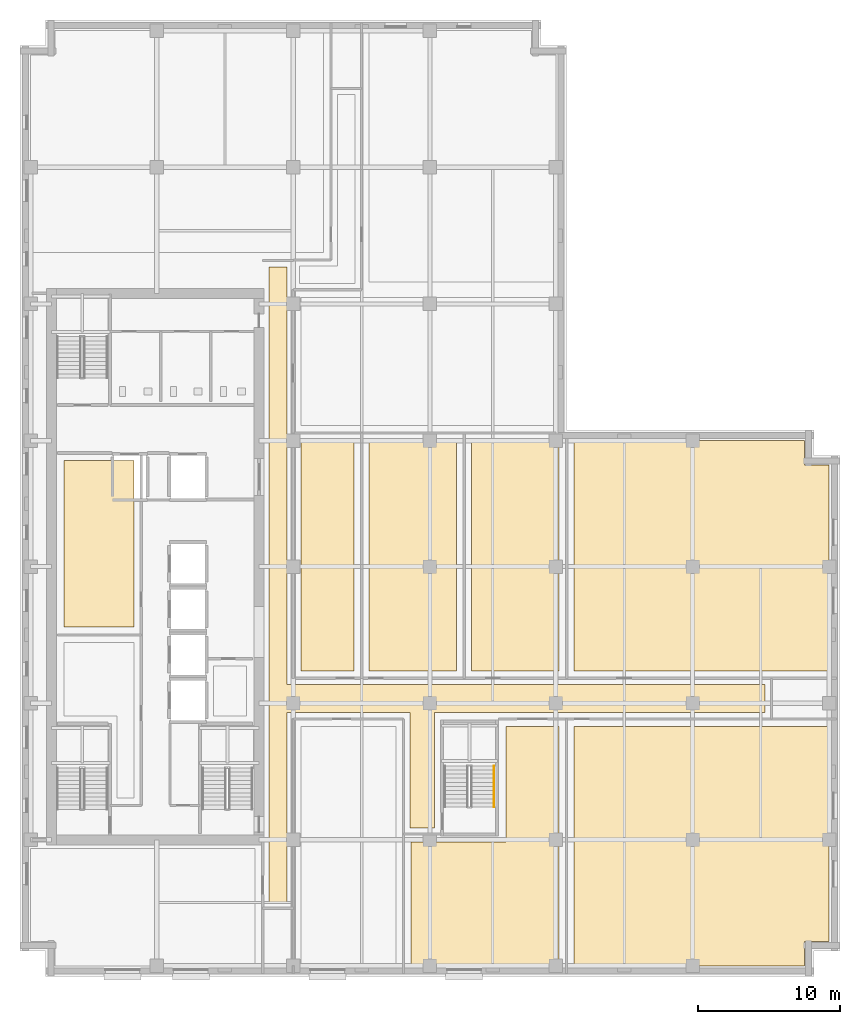
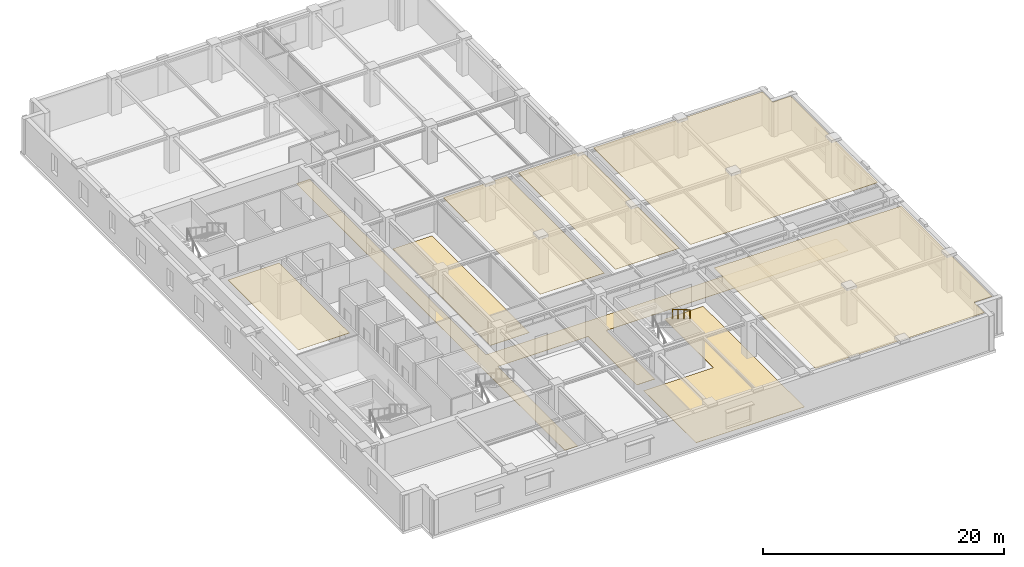
# One storey, part 10 of 13: 8 coverings, 1 railing.
"""IFC4 building model written with IfcOpenShell, lengths in metres."""

from ifc_helpers import new_model, si_unit, direction, frame, origin, origin_2d, place, context, subcontext, project, spatial, polyline, circle, outline, extrude, material, layer, layer_set, type_object, element, save


model = new_model("IFC4")

# Units and contexts
model_context = context("Model", 3, precision=1e-05, world=origin(), true_north=direction((0.0, 1.0)))
body_context = subcontext(model_context, "Body", "Model", "MODEL_VIEW")
ifc_project = project(units=[si_unit("LENGTHUNIT", "METRE"), si_unit("AREAUNIT", "SQUARE_METRE"), si_unit("VOLUMEUNIT", "CUBIC_METRE"), si_unit("PLANEANGLEUNIT", "RADIAN"), si_unit("MASSUNIT", "GRAM", prefix="KILO")], contexts=[model_context])

# Site, building, storey
site_placement = place(None, origin())
site = spatial("IfcSite", under=ifc_project, at=site_placement, CompositionType="ELEMENT")
building_placement = place(site_placement, origin())
building = spatial("IfcBuilding", under=site, at=building_placement, Name="Norrvale University Quadrangle", CompositionType="ELEMENT")
storey_placement = place(building_placement, frame((0.0, 0.0, 175.0)))
storey = spatial("IfcBuildingStorey", under=building, at=storey_placement, Name="L44", CompositionType="ELEMENT", Elevation=175.0)

# Coverings
ifc_material_1 = material(Name="Perforated Acoustic Mineral Ceiling")
ifc_layer_1 = layer(ifc_material_1, 0.02490234375, Name="Perforated Acoustic Mineral Ceiling")
ifc_layer_set_1 = layer_set([ifc_layer_1], Name="Perforated Acoustic Mineral Ceiling")
covering_type_1 = type_object("IfcCoveringType", Name="Covering Acoustic Ceiling 25", PredefinedType="CEILING", material=ifc_layer_set_1)
covering_1_placement = place(storey_placement, frame((0.0, 0.0, 3.514892578125)))
element("IfcCovering", 1, at=covering_1_placement, inside=storey, type_object=covering_type_1, Name="Acoustic Ceiling RM-L44-REC2", PredefinedType="CEILING", context=body_context, shape_type="SweptSolid", body=[
    extrude(outline(polyline([(3.10009765625, 24.550048828125), (3.10009765625, 36.25), (8.0, 36.25), (8.0, 24.550048828125), (3.10009765625, 24.550048828125)])), origin(), (0.0, 0.0, 1.0), 0.025146484375),
])
covering_2_placement = place(storey_placement, frame((0.0, 0.0, 3.514892578125)))
element("IfcCovering", 2, at=covering_2_placement, inside=storey, type_object=covering_type_1, Name="Acoustic Ceiling RM-L44-SE3", PredefinedType="CEILING", context=body_context, shape_type="SweptSolid", body=[
    extrude(outline(polyline([(38.929931640625, 0.75), (38.929931640625, 17.570068359375), (56.85009765625, 17.570068359375), (56.85009765625, 2.469970703125), (55.1298828125, 2.469970703125), (55.1298828125, 0.75), (38.929931640625, 0.75)])), origin(), (0.0, 0.0, 1.0), 0.025146484375),
])
covering_3_placement = place(storey_placement, frame((0.0, 0.0, 3.514892578125)))
element("IfcCovering", 3, at=covering_3_placement, inside=storey, type_object=covering_type_1, Name="Acoustic Ceiling RM-L44-ME02", PredefinedType="CEILING", context=body_context, shape_type="SweptSolid", body=[
    extrude(outline(polyline([(24.530029296875, 37.64990234375), (30.669921875, 37.64990234375), (30.669921875, 21.47998046875), (24.530029296875, 21.47998046875), (24.530029296875, 37.64990234375)])), origin(), (0.0, 0.0, 1.0), 0.025146484375),
])
covering_4_placement = place(storey_placement, frame((0.0, 0.0, 3.514892578125)))
element("IfcCovering", 4, at=covering_4_placement, inside=storey, type_object=covering_type_1, Name="Acoustic Ceiling RM-L44-ME03", PredefinedType="CEILING", context=body_context, shape_type="SweptSolid", body=[
    extrude(outline(polyline([(31.72998046875, 37.64990234375), (37.8701171875, 37.64990234375), (37.8701171875, 21.47998046875), (31.72998046875, 21.47998046875), (31.72998046875, 37.64990234375)])), origin(), (0.0, 0.0, 1.0), 0.025146484375),
])
covering_5_placement = place(storey_placement, frame((0.0, 0.0, 3.514892578125)))
element("IfcCovering", 5, at=covering_5_placement, inside=storey, type_object=covering_type_1, Name="Acoustic Ceiling RM-L44-ME04", PredefinedType="CEILING", context=body_context, shape_type="SweptSolid", body=[
    extrude(outline(polyline([(56.85009765625, 21.47998046875), (38.929931640625, 21.47998046875), (38.929931640625, 37.64990234375), (55.1298828125, 37.64990234375), (55.1298828125, 35.929931640625), (56.85009765625, 35.929931640625), (56.85009765625, 21.47998046875)])), origin(), (0.0, 0.0, 1.0), 0.025146484375),
])
ifc_material_2 = material(Name="Polished Terrazzo Flooring")
ifc_layer_2 = layer(ifc_material_2, 0.02490234375, Name="Polished Terrazzo Flooring")
ifc_layer_set_2 = layer_set([ifc_layer_2], Name="Polished Terrazzo Flooring")
covering_type_2 = type_object("IfcCoveringType", Name="Covering Terrazzo Floor 30", PredefinedType="FLOORING", material=ifc_layer_set_2)
covering_6_placement = place(storey_placement, origin())
element("IfcCovering", 6, at=covering_6_placement, inside=storey, type_object=covering_type_2, Name="Terrazzo Flooring RM-L44-CORR1", PredefinedType="FLOORING", context=body_context, shape_type="SweptSolid", body=[
    extrude(outline(polyline([(17.5, 5.25), (17.5, 49.85009765625), (18.75, 49.85009765625), (18.75, 20.5), (52.35009765625, 20.5), (52.35009765625, 18.550048828125), (29.1298828125, 18.550048828125), (29.1298828125, 10.449951171875), (27.39990234375, 10.449951171875), (27.39990234375, 18.550048828125), (18.75, 18.550048828125), (18.75, 5.25), (17.5, 5.25)])), origin(), (0.0, 0.0, 1.0), 0.02490234375),
])
covering_7_placement = place(storey_placement, origin())
element("IfcCovering", 7, at=covering_7_placement, inside=storey, type_object=covering_type_2, Name="Terrazzo Flooring RM-L44-SE2", PredefinedType="FLOORING", context=body_context, shape_type="SweptSolid", body=[
    extrude(outline(polyline([(27.47998046875, 9.449951171875), (34.14990234375, 9.449951171875), (34.14990234375, 17.570068359375), (37.8701171875, 17.570068359375), (37.8701171875, 0.75), (27.47998046875, 0.75), (27.47998046875, 9.449951171875)])), origin(), (0.0, 0.0, 1.0), 0.02490234375),
])
covering_8_placement = place(storey_placement, origin())
element("IfcCovering", 8, at=covering_8_placement, inside=storey, type_object=covering_type_2, Name="Terrazzo Flooring RM-L44-ME01", PredefinedType="FLOORING", context=body_context, shape_type="SweptSolid", body=[
    extrude(outline(polyline([(19.72998046875, 37.64990234375), (23.469970703125, 37.64990234375), (23.469970703125, 21.47998046875), (19.72998046875, 21.47998046875), (19.72998046875, 37.64990234375)])), origin(), (0.0, 0.0, 1.0), 0.02490234375),
])

# Railing
ifc_material_3 = material(Name="Stainless Steel 316L Handrail", Category="steel")
railing_type = type_object("IfcRailingType", Name="Railing Stair Handrail 920", PredefinedType="HANDRAIL", material=ifc_material_3)
railing_placement = place(storey_placement, frame((33.31005859375, 14.800048828125, 2.07275390625)))
element("IfcRailing", 9, at=railing_placement, inside=storey, type_object=railing_type, Name="Stair Upper Flight Handrail ST-04 L44", PredefinedType="HANDRAIL", context=body_context, shape_type="SweptSolid", body=[
    extrude(circle(Radius=0.02392578125, at=origin_2d()), frame((0.0, 0.0, 0.89599609375), z_axis=(0.0, -0.859160404282, 0.51170636083), x_axis=(1.0, 0.0, 0.0)), (0.0, 0.0, 1.0), 3.37548828125),
    extrude(circle(Radius=0.02099609375, at=origin_2d()), origin(), (0.0, 0.0, 1.0), 0.871826171875),
    extrude(circle(Radius=0.02099609375, at=origin_2d()), frame((0.0, -0.966796875, 0.57568359375)), (0.0, 0.0, 1.0), 0.871826171875),
    extrude(circle(Radius=0.02099609375, at=origin_2d()), frame((0.0, -1.933349609375, 1.151611328125)), (0.0, 0.0, 1.0), 0.871826171875),
    extrude(circle(Radius=0.02099609375, at=origin_2d()), frame((0.0, -2.900146484375, 1.727294921875)), (0.0, 0.0, 1.0), 0.871826171875),
])

save(model, "model.ifc")
